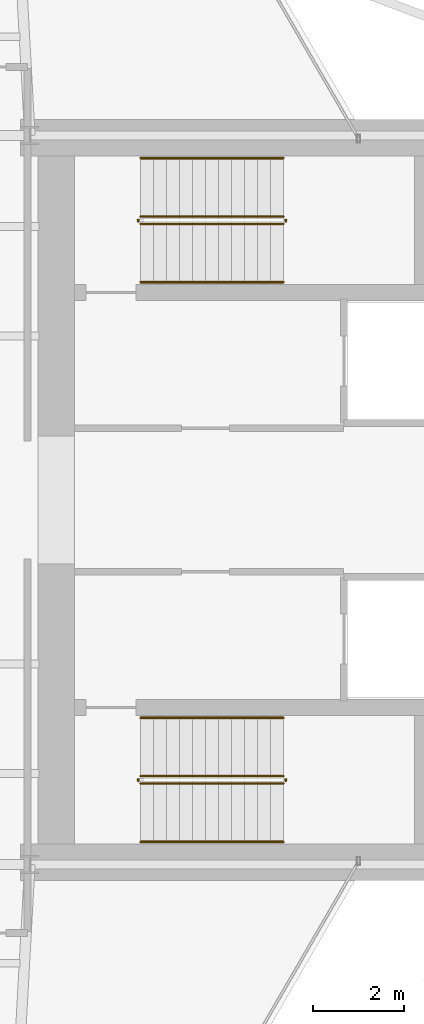
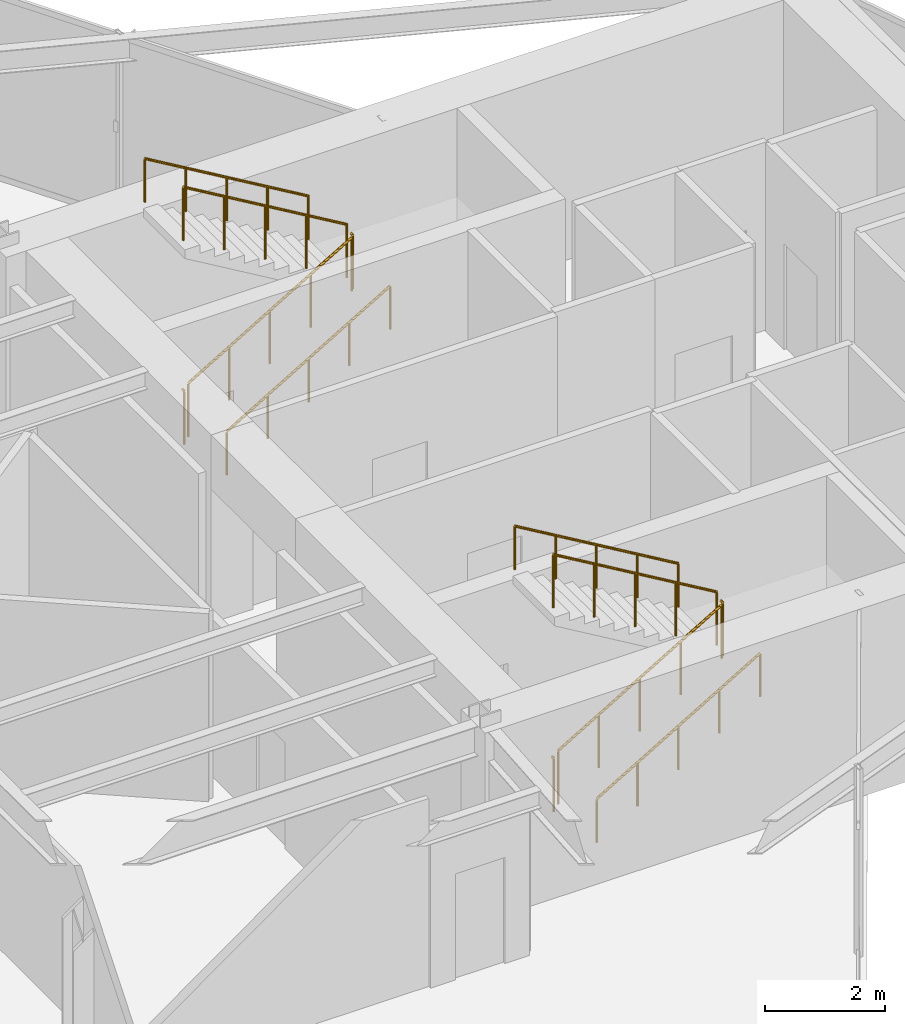
# One storey, part 25 of 25: 12 railings.
"""IFC4 building model written with IfcOpenShell, lengths in metres."""

from ifc_helpers import new_model, si_unit, direction, frame, origin, origin_2d, place, context, subcontext, project, spatial, circle, extrude, material, type_object, element, save


model = new_model("IFC4")

# Units and contexts
model_context = context("Model", 3, precision=1e-05, world=origin(), true_north=direction((0.0, 1.0)))
body_context = subcontext(model_context, "Body", "Model", "MODEL_VIEW")
ifc_project = project(units=[si_unit("LENGTHUNIT", "METRE"), si_unit("AREAUNIT", "SQUARE_METRE"), si_unit("VOLUMEUNIT", "CUBIC_METRE"), si_unit("PLANEANGLEUNIT", "RADIAN"), si_unit("MASSUNIT", "GRAM", prefix="KILO")], contexts=[model_context])

# Site, building, storey
site_placement = place(None, origin())
site = spatial("IfcSite", under=ifc_project, at=site_placement, CompositionType="ELEMENT")
building_placement = place(site_placement, origin())
building = spatial("IfcBuilding", under=site, at=building_placement, Name="Veymaron Broadcast Tower", CompositionType="ELEMENT")
storey_placement = place(building_placement, frame((0.0, 0.0, 173.550048828125)))
storey = spatial("IfcBuildingStorey", under=building, at=storey_placement, Name="L40", CompositionType="ELEMENT", Elevation=173.550048828125)

# Railings
ifc_material_1 = material(Name="Brushed stainless steel AISI 304", Category="steel")
railing_type_1 = type_object("IfcRailingType", Name="RAIL-STAIR-HR", PredefinedType="HANDRAIL", material=ifc_material_1)
railing_1_placement = place(storey_placement, frame((41.429931640625, 28.780029296875, 0.168701171875)))
element("IfcRailing", 1, at=railing_1_placement, inside=storey, type_object=railing_type_1, Name="L40 ST1 stair handrail 1", PredefinedType="HANDRAIL", context=body_context, shape_type="SweptSolid", body=[
    extrude(circle(Radius=0.02392578125, at=origin_2d()), frame((0.0, 0.0, 0.8759765625), z_axis=(0.860481960309, 0.0, 0.509480908359), x_axis=(0.0, 1.0, 0.0)), (0.0, 0.0, 1.0), 3.643310546875),
    extrude(circle(Radius=0.02099609375, at=origin_2d()), origin(), (0.0, 0.0, 1.0), 0.851806640625),
    extrude(circle(Radius=0.02099609375, at=origin_2d()), frame((0.78369140625, 0.0, 0.464111328125)), (0.0, 0.0, 1.0), 0.851806640625),
    extrude(circle(Radius=0.02099609375, at=origin_2d()), frame((1.5673828125, 0.0, 0.92822265625)), (0.0, 0.0, 1.0), 0.851806640625),
    extrude(circle(Radius=0.02099609375, at=origin_2d()), frame((2.351318359375, 0.0, 1.39208984375)), (0.0, 0.0, 1.0), 0.851806640625),
    extrude(circle(Radius=0.02099609375, at=origin_2d()), frame((3.135009765625, 0.0, 1.856201171875)), (0.0, 0.0, 1.0), 0.851806640625),
])
railing_2_placement = place(storey_placement, frame((44.56494140625, 31.5, 2.193603515625)))
element("IfcRailing", 2, at=railing_2_placement, inside=storey, type_object=railing_type_1, Name="L40 ST1 stair handrail 2", PredefinedType="HANDRAIL", context=body_context, shape_type="SweptSolid", body=[
    extrude(circle(Radius=0.02392578125, at=origin_2d()), frame((0.0, 0.0, 0.8759765625), z_axis=(-0.860452582533, 0.0, 0.509530522356), x_axis=(0.0, -1.0, 0.0)), (0.0, 0.0, 1.0), 3.6435546875),
    extrude(circle(Radius=0.02099609375, at=origin_2d()), origin(), (0.0, 0.0, 1.0), 0.851806640625),
    extrude(circle(Radius=0.02099609375, at=origin_2d()), frame((-0.78369140625, 0.0, 0.464111328125)), (0.0, 0.0, 1.0), 0.851806640625),
    extrude(circle(Radius=0.02099609375, at=origin_2d()), frame((-1.5673828125, 0.0, 0.92822265625)), (0.0, 0.0, 1.0), 0.851806640625),
    extrude(circle(Radius=0.02099609375, at=origin_2d()), frame((-2.351318359375, 0.0, 1.392333984375)), (0.0, 0.0, 1.0), 0.851806640625),
    extrude(circle(Radius=0.02099609375, at=origin_2d()), frame((-3.135009765625, 0.0, 1.8564453125)), (0.0, 0.0, 1.0), 0.851806640625),
])
railing_3_placement = place(storey_placement, frame((41.429931640625, 16.5, 0.168701171875)))
element("IfcRailing", 3, at=railing_3_placement, inside=storey, type_object=railing_type_1, Name="L40 ST2 stair handrail 1", PredefinedType="HANDRAIL", context=body_context, shape_type="SweptSolid", body=[
    extrude(circle(Radius=0.02392578125, at=origin_2d()), frame((0.0, 0.0, 0.8759765625), z_axis=(0.860481960309, 0.0, 0.509480908359), x_axis=(0.0, 1.0, 0.0)), (0.0, 0.0, 1.0), 3.643310546875),
    extrude(circle(Radius=0.02099609375, at=origin_2d()), origin(), (0.0, 0.0, 1.0), 0.851806640625),
    extrude(circle(Radius=0.02099609375, at=origin_2d()), frame((0.78369140625, 0.0, 0.464111328125)), (0.0, 0.0, 1.0), 0.851806640625),
    extrude(circle(Radius=0.02099609375, at=origin_2d()), frame((1.5673828125, 0.0, 0.92822265625)), (0.0, 0.0, 1.0), 0.851806640625),
    extrude(circle(Radius=0.02099609375, at=origin_2d()), frame((2.351318359375, 0.0, 1.39208984375)), (0.0, 0.0, 1.0), 0.851806640625),
    extrude(circle(Radius=0.02099609375, at=origin_2d()), frame((3.135009765625, 0.0, 1.856201171875)), (0.0, 0.0, 1.0), 0.851806640625),
])
railing_4_placement = place(storey_placement, frame((44.56494140625, 19.219970703125, 2.193603515625)))
element("IfcRailing", 4, at=railing_4_placement, inside=storey, type_object=railing_type_1, Name="L40 ST2 stair handrail 2", PredefinedType="HANDRAIL", context=body_context, shape_type="SweptSolid", body=[
    extrude(circle(Radius=0.02392578125, at=origin_2d()), frame((0.0, 0.0, 0.8759765625), z_axis=(-0.860452582533, 0.0, 0.509530522356), x_axis=(0.0, -1.0, 0.0)), (0.0, 0.0, 1.0), 3.6435546875),
    extrude(circle(Radius=0.02099609375, at=origin_2d()), origin(), (0.0, 0.0, 1.0), 0.851806640625),
    extrude(circle(Radius=0.02099609375, at=origin_2d()), frame((-0.78369140625, 0.0, 0.464111328125)), (0.0, 0.0, 1.0), 0.851806640625),
    extrude(circle(Radius=0.02099609375, at=origin_2d()), frame((-1.5673828125, 0.0, 0.92822265625)), (0.0, 0.0, 1.0), 0.851806640625),
    extrude(circle(Radius=0.02099609375, at=origin_2d()), frame((-2.351318359375, 0.0, 1.392333984375)), (0.0, 0.0, 1.0), 0.851806640625),
    extrude(circle(Radius=0.02099609375, at=origin_2d()), frame((-3.135009765625, 0.0, 1.8564453125)), (0.0, 0.0, 1.0), 0.851806640625),
])
ifc_material_2 = material(Name="Painted galvanized steel balustrade", Category="steel")
railing_type_2 = type_object("IfcRailingType", Name="RAIL-WELL-GRD", PredefinedType="GUARDRAIL", material=ifc_material_2)
railing_5_placement = place(storey_placement, frame((41.429931640625, 30.06005859375, 0.168701171875)))
element("IfcRailing", 5, at=railing_5_placement, inside=storey, type_object=railing_type_2, Name="L40 ST1 stair guard 1", PredefinedType="GUARDRAIL", context=body_context, shape_type="SweptSolid", body=[
    extrude(circle(Radius=0.02392578125, at=origin_2d()), frame((0.0, 0.0, 1.076171875), z_axis=(0.860481960309, 0.0, 0.509480908359), x_axis=(0.0, 1.0, 0.0)), (0.0, 0.0, 1.0), 3.643310546875),
    extrude(circle(Radius=0.02099609375, at=origin_2d()), origin(), (0.0, 0.0, 1.0), 1.052001953125),
    extrude(circle(Radius=0.02099609375, at=origin_2d()), frame((0.78369140625, 0.0, 0.464111328125)), (0.0, 0.0, 1.0), 1.052001953125),
    extrude(circle(Radius=0.02099609375, at=origin_2d()), frame((1.5673828125, 0.0, 0.92822265625)), (0.0, 0.0, 1.0), 1.052001953125),
    extrude(circle(Radius=0.02099609375, at=origin_2d()), frame((2.351318359375, 0.0, 1.39208984375)), (0.0, 0.0, 1.0), 1.052001953125),
    extrude(circle(Radius=0.02099609375, at=origin_2d()), frame((3.135009765625, 0.0, 1.856201171875)), (0.0, 0.0, 1.0), 1.052001953125),
])
railing_6_placement = place(storey_placement, frame((44.614990234375, 30.110107421875, 2.02490234375)))
element("IfcRailing", 6, at=railing_6_placement, inside=storey, type_object=railing_type_2, Name="L40 ST1 stair guard 2", PredefinedType="GUARDRAIL", context=body_context, shape_type="SweptSolid", body=[
    extrude(circle(Radius=0.02392578125, at=origin_2d()), frame((0.0, 0.0, 1.076171875), z_axis=(0.0, 1.0, 0.0), x_axis=(-1.0, 0.0, 0.0)), (0.0, 0.0, 1.0), 0.059814453125),
    extrude(circle(Radius=0.02099609375, at=origin_2d()), origin(), (0.0, 0.0, 1.0), 1.052001953125),
])
railing_7_placement = place(storey_placement, frame((44.56494140625, 30.219970703125, 2.193603515625)))
element("IfcRailing", 7, at=railing_7_placement, inside=storey, type_object=railing_type_2, Name="L40 ST1 stair guard 3", PredefinedType="GUARDRAIL", context=body_context, shape_type="SweptSolid", body=[
    extrude(circle(Radius=0.02392578125, at=origin_2d()), frame((0.0, 0.0, 1.076171875), z_axis=(-0.860452582533, 0.0, 0.509530522356), x_axis=(0.0, -1.0, 0.0)), (0.0, 0.0, 1.0), 3.6435546875),
    extrude(circle(Radius=0.02099609375, at=origin_2d()), origin(), (0.0, 0.0, 1.0), 1.052001953125),
    extrude(circle(Radius=0.02099609375, at=origin_2d()), frame((-0.78369140625, 0.0, 0.464111328125)), (0.0, 0.0, 1.0), 1.052001953125),
    extrude(circle(Radius=0.02099609375, at=origin_2d()), frame((-1.5673828125, 0.0, 0.92822265625)), (0.0, 0.0, 1.0), 1.052001953125),
    extrude(circle(Radius=0.02099609375, at=origin_2d()), frame((-2.351318359375, 0.0, 1.392333984375)), (0.0, 0.0, 1.0), 1.052001953125),
    extrude(circle(Radius=0.02099609375, at=origin_2d()), frame((-3.135009765625, 0.0, 1.8564453125)), (0.0, 0.0, 1.0), 1.052001953125),
])
railing_8_placement = place(storey_placement, frame((41.3798828125, 30.110107421875, 0.0)))
element("IfcRailing", 8, at=railing_8_placement, inside=storey, type_object=railing_type_2, Name="L40 ST1 stair guard 4", PredefinedType="GUARDRAIL", context=body_context, shape_type="SweptSolid", body=[
    extrude(circle(Radius=0.02392578125, at=origin_2d()), frame((0.0, 0.0, 1.076171875), z_axis=(0.0, 1.0, 0.0), x_axis=(-1.0, 0.0, 0.0)), (0.0, 0.0, 1.0), 0.059814453125),
    extrude(circle(Radius=0.02099609375, at=origin_2d()), origin(), (0.0, 0.0, 1.0), 1.052001953125),
])
railing_9_placement = place(storey_placement, frame((41.429931640625, 17.780029296875, 0.168701171875)))
element("IfcRailing", 9, at=railing_9_placement, inside=storey, type_object=railing_type_2, Name="L40 ST2 stair guard 1", PredefinedType="GUARDRAIL", context=body_context, shape_type="SweptSolid", body=[
    extrude(circle(Radius=0.02392578125, at=origin_2d()), frame((0.0, 0.0, 1.076171875), z_axis=(0.860481960309, 0.0, 0.509480908359), x_axis=(0.0, 1.0, 0.0)), (0.0, 0.0, 1.0), 3.643310546875),
    extrude(circle(Radius=0.02099609375, at=origin_2d()), origin(), (0.0, 0.0, 1.0), 1.052001953125),
    extrude(circle(Radius=0.02099609375, at=origin_2d()), frame((0.78369140625, 0.0, 0.464111328125)), (0.0, 0.0, 1.0), 1.052001953125),
    extrude(circle(Radius=0.02099609375, at=origin_2d()), frame((1.5673828125, 0.0, 0.92822265625)), (0.0, 0.0, 1.0), 1.052001953125),
    extrude(circle(Radius=0.02099609375, at=origin_2d()), frame((2.351318359375, 0.0, 1.39208984375)), (0.0, 0.0, 1.0), 1.052001953125),
    extrude(circle(Radius=0.02099609375, at=origin_2d()), frame((3.135009765625, 0.0, 1.856201171875)), (0.0, 0.0, 1.0), 1.052001953125),
])
railing_10_placement = place(storey_placement, frame((44.614990234375, 17.830078125, 2.02490234375)))
element("IfcRailing", 10, at=railing_10_placement, inside=storey, type_object=railing_type_2, Name="L40 ST2 stair guard 2", PredefinedType="GUARDRAIL", context=body_context, shape_type="SweptSolid", body=[
    extrude(circle(Radius=0.02392578125, at=origin_2d()), frame((0.0, 0.0, 1.076171875), z_axis=(0.0, 1.0, 0.0), x_axis=(-1.0, 0.0, 0.0)), (0.0, 0.0, 1.0), 0.059814453125),
    extrude(circle(Radius=0.02099609375, at=origin_2d()), origin(), (0.0, 0.0, 1.0), 1.052001953125),
])
railing_11_placement = place(storey_placement, frame((44.56494140625, 17.93994140625, 2.193603515625)))
element("IfcRailing", 11, at=railing_11_placement, inside=storey, type_object=railing_type_2, Name="L40 ST2 stair guard 3", PredefinedType="GUARDRAIL", context=body_context, shape_type="SweptSolid", body=[
    extrude(circle(Radius=0.02392578125, at=origin_2d()), frame((0.0, 0.0, 1.076171875), z_axis=(-0.860452582533, 0.0, 0.509530522356), x_axis=(0.0, -1.0, 0.0)), (0.0, 0.0, 1.0), 3.6435546875),
    extrude(circle(Radius=0.02099609375, at=origin_2d()), origin(), (0.0, 0.0, 1.0), 1.052001953125),
    extrude(circle(Radius=0.02099609375, at=origin_2d()), frame((-0.78369140625, 0.0, 0.464111328125)), (0.0, 0.0, 1.0), 1.052001953125),
    extrude(circle(Radius=0.02099609375, at=origin_2d()), frame((-1.5673828125, 0.0, 0.92822265625)), (0.0, 0.0, 1.0), 1.052001953125),
    extrude(circle(Radius=0.02099609375, at=origin_2d()), frame((-2.351318359375, 0.0, 1.392333984375)), (0.0, 0.0, 1.0), 1.052001953125),
    extrude(circle(Radius=0.02099609375, at=origin_2d()), frame((-3.135009765625, 0.0, 1.8564453125)), (0.0, 0.0, 1.0), 1.052001953125),
])
railing_12_placement = place(storey_placement, frame((41.3798828125, 17.830078125, 0.0)))
element("IfcRailing", 12, at=railing_12_placement, inside=storey, type_object=railing_type_2, Name="L40 ST2 stair guard 4", PredefinedType="GUARDRAIL", context=body_context, shape_type="SweptSolid", body=[
    extrude(circle(Radius=0.02392578125, at=origin_2d()), frame((0.0, 0.0, 1.076171875), z_axis=(0.0, 1.0, 0.0), x_axis=(-1.0, 0.0, 0.0)), (0.0, 0.0, 1.0), 0.059814453125),
    extrude(circle(Radius=0.02099609375, at=origin_2d()), origin(), (0.0, 0.0, 1.0), 1.052001953125),
])

save(model, "model.ifc")
